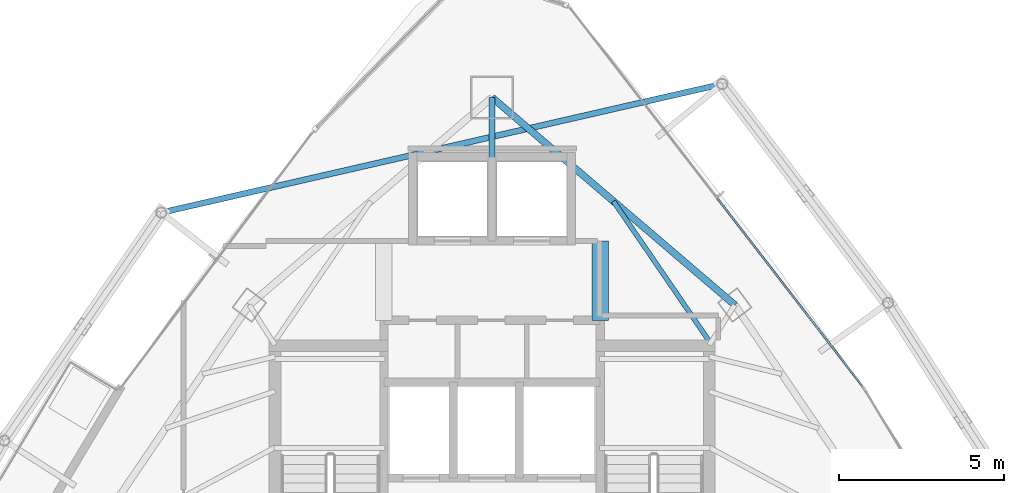
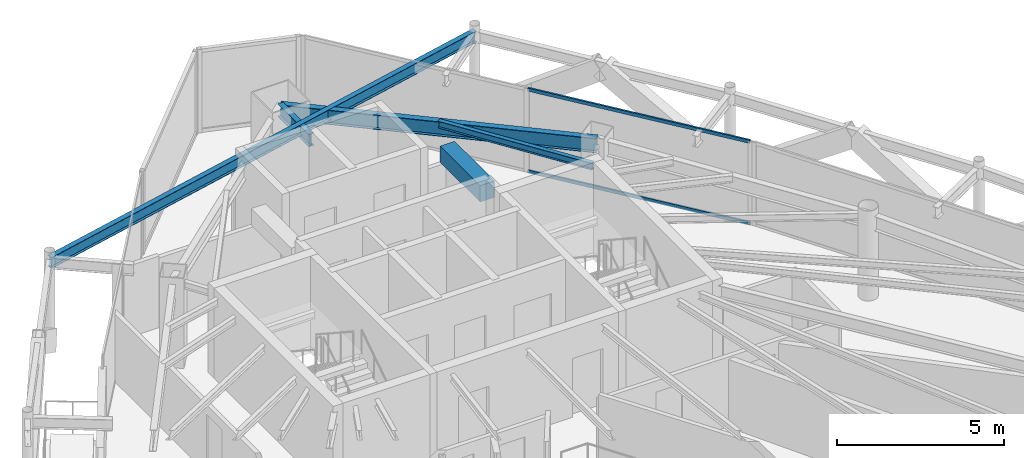
# One storey, part 22 of 30: 5 beams, 2 members, 1 element without a shape of its own.
"""IFC4 building model written with IfcOpenShell, lengths in metres."""

from ifc_helpers import new_model, si_unit, direction, frame, origin, origin_2d, place, context, subcontext, project, spatial, rectangle, hollow_rectangle, i_section, extrude, material, layer, layer_set, material_profile, profile_set, type_object, element, aggregate, save


model = new_model("IFC4")

# Units and contexts
model_context = context("Model", 3, precision=1e-05, world=origin(), true_north=direction((0.0, 1.0)))
body_context = subcontext(model_context, "Body", "Model", "MODEL_VIEW")
ifc_project = project(units=[si_unit("LENGTHUNIT", "METRE"), si_unit("AREAUNIT", "SQUARE_METRE"), si_unit("VOLUMEUNIT", "CUBIC_METRE"), si_unit("PLANEANGLEUNIT", "RADIAN"), si_unit("MASSUNIT", "GRAM", prefix="KILO")], contexts=[model_context])

# Site, building, storey
site_placement = place(None, origin())
site = spatial("IfcSite", under=ifc_project, at=site_placement, CompositionType="ELEMENT")
building_placement = place(site_placement, origin())
building = spatial("IfcBuilding", under=site, at=building_placement, Name="Orvanel Arch Residences", CompositionType="ELEMENT")
storey_placement = place(building_placement, frame((0.0, 0.0, 240.35009765625)))
storey = spatial("IfcBuildingStorey", under=building, at=storey_placement, Name="L68", CompositionType="ELEMENT", Elevation=240.35009765625)

# Beams
ifc_material_1 = material(Name="Structural steel AS/NZS 3679.1 Grade 300 (300 MPa)", Category="steel")
ifc_material_profile_1 = material_profile(ifc_material_1, i_section(OverallWidth=0.19091796875, OverallDepth=0.4599609375, WebThickness=0.010009765625, FlangeThickness=0.01611328125, at=origin_2d()), Name="460UB82.1")
ifc_profile_set_1 = profile_set([ifc_material_profile_1], Name="Structural steel AS/NZS 3679.1 Grade 300 (300 MPa)")
beam_type_1 = type_object("IfcBeamType", Name="BG-460UB", PredefinedType="BEAM", material=ifc_profile_set_1)
beam_1_placement = place(storey_placement, frame((33.0, 39.550048828125, 2.829833984375), z_axis=(0.0, 1.0, 0.0), x_axis=(-1.0, 0.0, 0.0)))
element("IfcBeam", 1, at=beam_1_placement, inside=storey, type_object=beam_type_1, Name="L68 North Radial Girder", PredefinedType="BEAM", context=body_context, shape_type="SweptSolid", body=[
    extrude(i_section(OverallWidth=0.19091796875, OverallDepth=0.4599609375, WebThickness=0.010009765625, FlangeThickness=0.01611328125, at=origin_2d()), origin(), (0.0, 0.0, 1.0), 1.847900390625),
])
ifc_material_profile_2 = material_profile(ifc_material_1, i_section(OverallWidth=0.14599609375, OverallDepth=0.251953125, WebThickness=0.006103515625, FlangeThickness=0.008544921875, at=origin_2d()), Name="250UB31.4")
ifc_profile_set_2 = profile_set([ifc_material_profile_2], Name="Structural steel AS/NZS 3679.1 Grade 300 (300 MPa)")
beam_type_2 = type_object("IfcBeamType", Name="BJ-250UB", PredefinedType="JOIST", material=ifc_profile_set_2)
beam_2_placement = place(storey_placement, frame((39.574951171875, 34.02001953125, 2.933837890625), z_axis=(-0.564868085352, 0.825181220188, 0.0), x_axis=(-0.825181220188, -0.564868085352, 0.0)))
element("IfcBeam", 2, at=beam_2_placement, inside=storey, type_object=beam_type_2, Name="L68 NNE2 Wing Floor Joist", PredefinedType="JOIST", context=body_context, shape_type="SweptSolid", body=[
    extrude(i_section(OverallWidth=0.14599609375, OverallDepth=0.251953125, WebThickness=0.006103515625, FlangeThickness=0.008544921875, at=origin_2d()), origin(), (0.0, 0.0, 1.0), 5.132080078125),
])
ifc_material_2 = material(Name="Concrete S65 (65 MPa)", Category="concrete")
ifc_material_profile_3 = material_profile(ifc_material_2, rectangle(XDim=0.5, YDim=0.60009765625, at=origin_2d()), Name="RC500x600")
ifc_profile_set_3 = profile_set([ifc_material_profile_3], Name="Concrete S65 (65 MPa)")
beam_type_3 = type_object("IfcBeamType", Name="CB-500x600", PredefinedType="LINTEL", material=ifc_profile_set_3)
beam_3_placement = place(storey_placement, frame((36.27490234375, 34.64990234375, 2.760009765625), z_axis=(0.0, 1.0, 0.0), x_axis=(-1.0, 0.0, 0.0)))
element("IfcBeam", 3, at=beam_3_placement, inside=storey, type_object=beam_type_3, Name="L68 East Core Lobby Coupling Lintel Beam", PredefinedType="LINTEL", context=body_context, shape_type="SweptSolid", body=[
    extrude(rectangle(XDim=0.5, YDim=0.60009765625, at=origin_2d()), origin(), (0.0, 0.0, 1.0), 2.400146484375),
])
ifc_material_profile_4 = material_profile(ifc_material_1, i_section(OverallWidth=0.177978515625, OverallDepth=0.406005859375, WebThickness=0.0078125, FlangeThickness=0.0126953125, at=origin_2d()), Name="410UB59.7")
ifc_profile_set_4 = profile_set([ifc_material_profile_4], Name="Structural steel AS/NZS 3679.1 Grade 300 (300 MPa)")
beam_type_4 = type_object("IfcBeamType", Name="OB-410UB-EXT", PredefinedType="SPANDREL", material=ifc_profile_set_4)
beam_4_placement = place(storey_placement, frame((39.970947265625, 41.804931640625, 2.85693359375), z_axis=(-0.974719420946, -0.223432429227, 0.0), x_axis=(0.223432429227, -0.974719420946, 0.0)))
element("IfcBeam", 4, at=beam_4_placement, inside=storey, type_object=beam_type_4, Name="L68 Outer Perimeter Floor Ring Beam 12", PredefinedType="SPANDREL", context=body_context, shape_type="SweptSolid", body=[
    extrude(i_section(OverallWidth=0.177978515625, OverallDepth=0.406005859375, WebThickness=0.0078125, FlangeThickness=0.0126953125, at=origin_2d()), origin(), (0.0, 0.0, 1.0), 17.4326171875),
])
ifc_material_profile_5 = material_profile(ifc_material_1, i_section(OverallWidth=0.208984375, OverallDepth=0.532958984375, WebThickness=0.01025390625, FlangeThickness=0.015625, at=origin_2d()), Name="530UB92.4")
ifc_profile_set_5 = profile_set([ifc_material_profile_5], Name="Structural steel AS/NZS 3679.1 Grade 300 (300 MPa)")
beam_type_5 = type_object("IfcBeamType", Name="SP-530UB", PredefinedType="SPANDREL", material=ifc_profile_set_5)
beam_5_placement = place(storey_placement, frame((40.35205078125, 35.113037109375, 2.79296875), z_axis=(-0.760116518398, 0.649786794617, 0.0), x_axis=(-0.649786794617, -0.760116518398, 0.0)))
element("IfcBeam", 5, at=beam_5_placement, inside=storey, type_object=beam_type_5, Name="L68 Perimeter Spandrel Beam 09", PredefinedType="SPANDREL", context=body_context, shape_type="SweptSolid", body=[
    extrude(i_section(OverallWidth=0.208984375, OverallDepth=0.532958984375, WebThickness=0.01025390625, FlangeThickness=0.015625, at=origin_2d()), origin(), (0.0, 0.0, 1.0), 9.67236328125),
])

# Curtain wall, members
ifc_material_3 = material(Name="Bronze-anodised aluminium AA6063-T6", Category="aluminium")
ifc_layer = layer(ifc_material_3, 0.175048828125)
ifc_layer_set = layer_set([ifc_layer], Name="Bronze-anodised aluminium AA6063-T6")
curtain_wall_type = type_object("IfcCurtainWallType", Name="CW4-HI-SYS", PredefinedType="NOTDEFINED", material=ifc_layer_set)
curtain_wall_placement = place(storey_placement, origin())
curtain_wall = element("IfcCurtainWall", 6, at=curtain_wall_placement, inside=storey, type_object=curtain_wall_type, Name="L68 CW4-HI-SYS Unitised Curtain Wall", PredefinedType="NOTDEFINED")
ifc_material_profile_6 = material_profile(ifc_material_3, hollow_rectangle(XDim=0.06005859375, YDim=0.1201171875, WallThickness=0.00341796875, at=origin_2d()), Name="ALU120x60x3.5")
ifc_profile_set_6 = profile_set([ifc_material_profile_6], Name="Bronze-anodised aluminium AA6063-T6")
member_type = type_object("IfcMemberType", Name="TRN-120x60", PredefinedType="USERDEFINED", material=ifc_profile_set_6)
member_1_placement = place(storey_placement, frame((44.223388671875, 32.6435546875, 0.02978515625), z_axis=(-0.611207438105, 0.791470446451, 0.0), x_axis=(-0.791470446451, -0.611207438105, 0.0)))
member_1 = element("IfcMember", 7, at=member_1_placement, type_object=member_type, Name="CW-S4 transom 1.1", ObjectType="TRANSOM", PredefinedType="USERDEFINED", context=body_context, shape_type="SweptSolid", body=[
    extrude(hollow_rectangle(XDim=0.06005859375, YDim=0.1201171875, WallThickness=0.00341796875, at=origin_2d()), origin(), (0.0, 0.0, 1.0), 7.2080078125),
])
member_2_placement = place(storey_placement, frame((44.223388671875, 32.6435546875, 3.02978515625), z_axis=(-0.611207438105, 0.791470446451, 0.0), x_axis=(-0.791470446451, -0.611207438105, 0.0)))
member_2 = element("IfcMember", 8, at=member_2_placement, type_object=member_type, Name="CW-S4 transom 1.2", ObjectType="TRANSOM", PredefinedType="USERDEFINED", context=body_context, shape_type="SweptSolid", body=[
    extrude(hollow_rectangle(XDim=0.06005859375, YDim=0.1201171875, WallThickness=0.00341796875, at=origin_2d()), origin(), (0.0, 0.0, 1.0), 7.2080078125),
])
aggregate(curtain_wall, [member_1, member_2])

save(model, "model.ifc")
